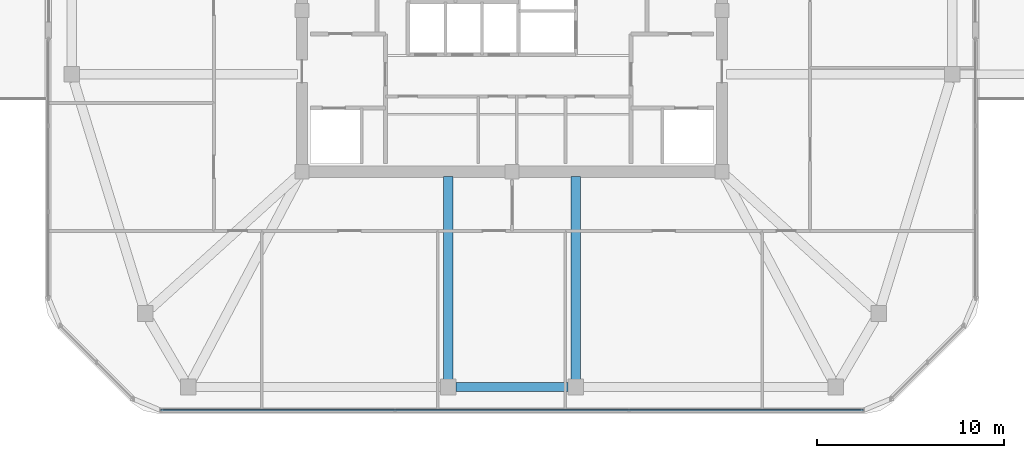
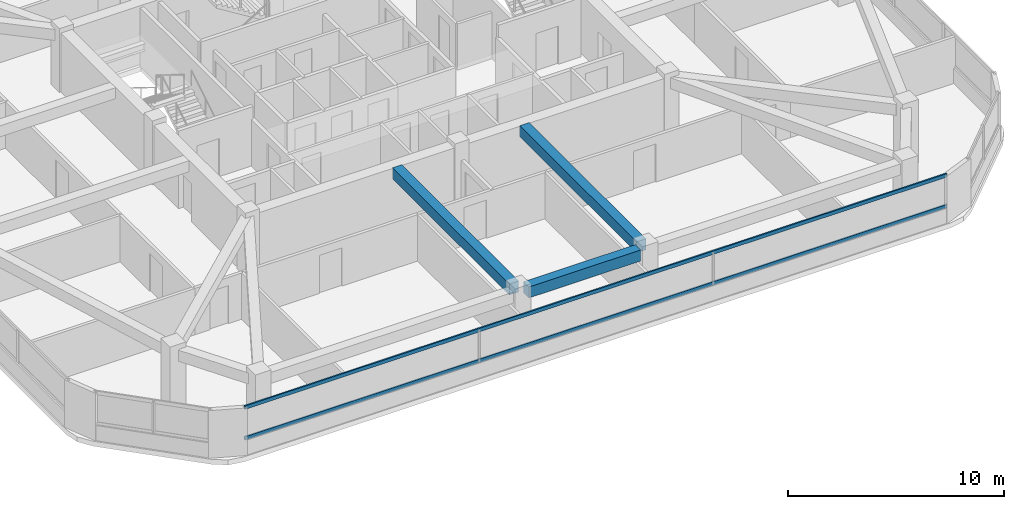
# One storey, part 3 of 14: 3 beams, 2 members, 1 element without a shape of its own.
"""IFC4 building model written with IfcOpenShell, lengths in metres."""

from ifc_helpers import new_model, si_unit, derived_unit, direction, frame, origin, origin_2d, place, context, subcontext, project, spatial, rectangle, extrude, material, material_profile, profile_set, type_object, element, aggregate, save


model = new_model("IFC4")

# Units and contexts
model_context = context("Model", 3, precision=1e-05, world=origin(), true_north=direction((0.0, 1.0)))
body_context = subcontext(model_context, "Body", "Model", "MODEL_VIEW")
ifc_project = project(units=[si_unit("LENGTHUNIT", "METRE"), si_unit("AREAUNIT", "SQUARE_METRE"), si_unit("VOLUMEUNIT", "CUBIC_METRE"), si_unit("PLANEANGLEUNIT", "RADIAN"), si_unit("MASSUNIT", "GRAM", prefix="KILO"), derived_unit("THERMALTRANSMITTANCEUNIT", [(si_unit("POWERUNIT", "WATT"), 1), (si_unit("LENGTHUNIT", "METRE"), -2), (si_unit("THERMODYNAMICTEMPERATUREUNIT", "KELVIN"), -1)])], contexts=[model_context])

# Site, building, storey
site_placement = place(None, origin())
site = spatial("IfcSite", under=ifc_project, at=site_placement, CompositionType="ELEMENT")
building_placement = place(site_placement, origin())
building = spatial("IfcBuilding", under=site, at=building_placement, Name="Koralith Skygarden Medical Center", CompositionType="ELEMENT")
storey_placement = place(building_placement, frame((0.0, 0.0, 257.219970703125)))
storey = spatial("IfcBuildingStorey", under=building, at=storey_placement, Name="L66", CompositionType="ELEMENT", Elevation=257.219970703125)

# Curtain wall, members
ifc_material_1 = material(Name="Clear Laminated Glass", Category="glass")
curtain_wall_type = type_object("IfcCurtainWallType", Name="CW-6 Zone 5 Upper Clinical Curtain Wall", PredefinedType="NOTDEFINED", material=ifc_material_1)
curtain_wall_placement = place(storey_placement, origin())
curtain_wall = element("IfcCurtainWall", 1, at=curtain_wall_placement, inside=storey, type_object=curtain_wall_type, Name="Curtain Wall CW-L66-S", PredefinedType="NOTDEFINED")
ifc_material_2 = material(Name="Aluminium 6063-T6", Category="aluminium")
ifc_material_profile_1 = material_profile(ifc_material_2, rectangle(XDim=0.077880859375, YDim=0.197998046875, at=origin_2d()), Name="TRN78X198")
ifc_profile_set_1 = profile_set([ifc_material_profile_1], Name="Aluminium 6063-T6")
member_type = type_object("IfcMemberType", Name="CW-6 Thermal Transom 78x198", PredefinedType="USERDEFINED", material=ifc_profile_set_1)
member_1_placement = place(storey_placement, frame((18.2548828125, 4.580078125, 0.900146484375), z_axis=(1.0, 0.0, 0.0), x_axis=(0.0, 1.0, 0.0)))
member_1 = element("IfcMember", 2, at=member_1_placement, type_object=member_type, Name="CW-L66-S Transom 1", ObjectType="TRANSOM", PredefinedType="USERDEFINED", context=body_context, shape_type="SweptSolid", body=[
    extrude(rectangle(XDim=0.077880859375, YDim=0.197998046875, at=origin_2d()), origin(), (0.0, 0.0, 1.0), 37.490234375),
])
member_2_placement = place(storey_placement, frame((18.2548828125, 4.580078125, 2.64013671875), z_axis=(1.0, 0.0, 0.0), x_axis=(0.0, 1.0, 0.0)))
member_2 = element("IfcMember", 3, at=member_2_placement, type_object=member_type, Name="CW-L66-S Transom 2", ObjectType="TRANSOM", PredefinedType="USERDEFINED", context=body_context, shape_type="SweptSolid", body=[
    extrude(rectangle(XDim=0.077880859375, YDim=0.197998046875, at=origin_2d()), origin(), (0.0, 0.0, 1.0), 37.490234375),
])
aggregate(curtain_wall, [member_1, member_2])

# Beams
ifc_material_3 = material(Name="Concrete C45/55", Category="concrete")
ifc_material_profile_2 = material_profile(ifc_material_3, rectangle(XDim=0.5, YDim=0.6201171875, at=origin_2d()), Name="RCB500X620")
ifc_profile_set_2 = profile_set([ifc_material_profile_2], Name="Concrete C45/55")
beam_type_1 = type_object("IfcBeamType", Name="Upper Radial Collector Beam RCB500X620", PredefinedType="BEAM", material=ifc_profile_set_2)
for number, where, z_axis, x_axis, name in (
    (4, (33.60009765625, 17.050048828125, 3.010009765625), (0.0, -1.0, 0.0), (1.0, 0.0, 0.0), "L66 Radial Collector Beam RB-04"),
    (5, (40.39990234375, 17.050048828125, 3.010009765625), (0.0, -1.0, 0.0), (1.0, 0.0, 0.0), "L66 Radial Collector Beam RB-05"),
):
    element("IfcBeam", number, at=place(storey_placement, frame(where, z_axis=z_axis, x_axis=x_axis)), inside=storey, type_object=beam_type_1, Name=name, PredefinedType="BEAM", context=body_context, shape_type="SweptSolid", body=[
        extrude(rectangle(XDim=0.5, YDim=0.6201171875, at=origin_2d()), origin(), (0.0, 0.0, 1.0), 10.820068359375),
    ])
ifc_material_profile_3 = material_profile(ifc_material_3, rectangle(XDim=0.5, YDim=0.6201171875, at=origin_2d()), Name="RCB500X620")
ifc_profile_set_3 = profile_set([ifc_material_profile_3], Name="Concrete C45/55")
beam_type_2 = type_object("IfcBeamType", Name="Zone 4-5 Spandrel Beam RCB500X620", PredefinedType="SPANDREL", material=ifc_profile_set_3)
beam_placement = place(storey_placement, frame((34.010009765625, 5.820068359375, 3.010009765625), z_axis=(1.0, 0.0, 0.0), x_axis=(0.0, 1.0, 0.0)))
element("IfcBeam", 6, at=beam_placement, inside=storey, type_object=beam_type_2, Name="L66 Perimeter Spandrel Beam SP-04", PredefinedType="SPANDREL", context=body_context, shape_type="SweptSolid", body=[
    extrude(rectangle(XDim=0.5, YDim=0.6201171875, at=origin_2d()), origin(), (0.0, 0.0, 1.0), 5.97998046875),
])

save(model, "model.ifc")
